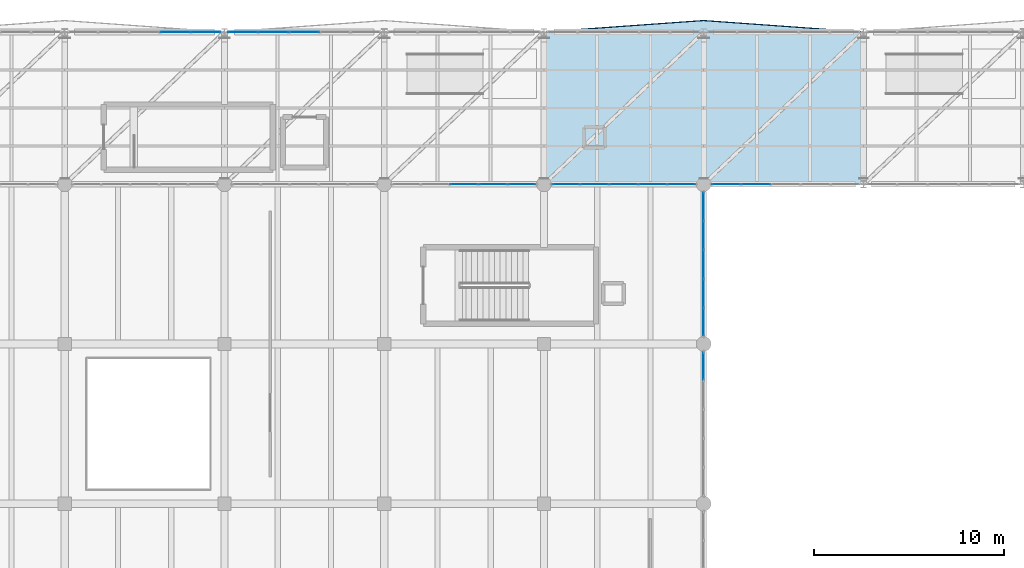
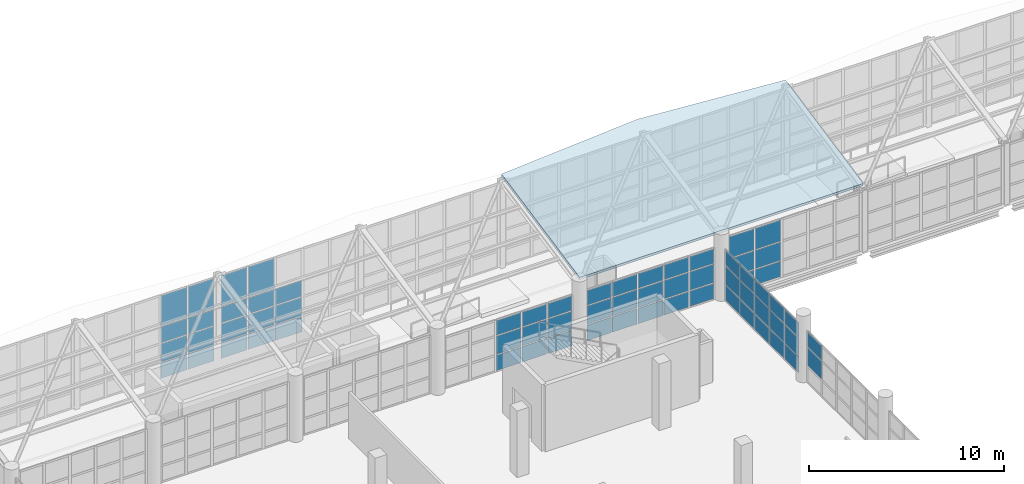
# One storey, part 135 of 177: 66 plates, 1 slab, 7 elements without a shape of their own.
"""IFC4 building model written with IfcOpenShell, lengths in metres."""

from ifc_helpers import new_model, si_unit, direction, frame, origin, origin_2d, place, context, subcontext, project, spatial, polyline, rectangle, outline, extrude, material, layer, layer_set, type_object, element, aggregate, save


model = new_model("IFC4")

# Units and contexts
model_context = context("Model", 3, precision=1e-05, world=origin(), true_north=direction((0.0, 1.0)))
body_context = subcontext(model_context, "Body", "Model", "MODEL_VIEW")
ifc_project = project(units=[si_unit("LENGTHUNIT", "METRE"), si_unit("AREAUNIT", "SQUARE_METRE"), si_unit("VOLUMEUNIT", "CUBIC_METRE"), si_unit("PLANEANGLEUNIT", "RADIAN"), si_unit("MASSUNIT", "GRAM", prefix="KILO"), si_unit("THERMODYNAMICTEMPERATUREUNIT", "KELVIN"), si_unit("POWERUNIT", "WATT")], contexts=[model_context])

# Site, building, storey
site_placement = place(None, origin())
site = spatial("IfcSite", under=ifc_project, at=site_placement, CompositionType="ELEMENT")
building_placement = place(site_placement, origin())
building = spatial("IfcBuilding", under=site, at=building_placement, Name="Mavoryth Pier Ferry Terminal", CompositionType="ELEMENT")
storey_placement = place(building_placement, frame((0.0, 0.0, 5.43994140625)))
storey = spatial("IfcBuildingStorey", under=building, at=storey_placement, Name="L01", CompositionType="ELEMENT", Elevation=5.43994140625)

# Curtain wall, plates
ifc_material_1 = material(Name="Anodised Aluminium and Solar-Control Low-E Glass", Category="aluminium")
ifc_layer_1 = layer(ifc_material_1, 0.159912109375, Name="Anodised Aluminium and Solar-Control Low-E Glass", Category="aluminium")
ifc_layer_set_1 = layer_set([ifc_layer_1], Name="Anodised Aluminium and Solar-Control Low-E Glass - CW-Arrivals-Mod1400")
curtain_wall_type_1 = type_object("IfcCurtainWallType", Name="CW-Arrivals-Mod1400", PredefinedType="USERDEFINED", material=ifc_layer_set_1)
curtain_wall_1_placement = place(storey_placement, origin())
curtain_wall_1 = element("IfcCurtainWall", 1, at=curtain_wall_1_placement, inside=storey, type_object=curtain_wall_type_1, Name="Curtain Wall CW-0122-058", ObjectType="UNITISED CURTAIN WALL", PredefinedType="USERDEFINED")
ifc_material_2 = material(Name="Solar-Control Low-E Laminated Double Glazing", Category="glass")
ifc_layer_2 = layer(ifc_material_2, 0.02392578125, Name="Solar-Control Low-E Laminated Double Glazing", Category="glass")
ifc_layer_set_2 = layer_set([ifc_layer_2], Name="Solar-Control Low-E Laminated Double Glazing - Panel-LowE-DGU-24")
plate_type = type_object("IfcPlateType", Name="Panel-LowE-DGU-24", PredefinedType="CURTAIN_PANEL", material=ifc_layer_set_2)
plate_1_placement = place(storey_placement, frame((82.8330078125, 106.0, 0.06005859375), z_axis=(0.0, 0.0, 1.0), x_axis=(-1.0, 0.0, 0.0)))
plate_1 = element("IfcPlate", 2, at=plate_1_placement, type_object=plate_type, Name="CW04 panel 1.1", PredefinedType="CURTAIN_PANEL", context=body_context, shape_type="SweptSolid", body=[
    extrude(rectangle(XDim=1.43408203125, YDim=0.02392578125, at=origin_2d()), origin(), (0.0, 0.0, 1.0), 0.9599609375),
])
plate_2_placement = place(storey_placement, frame((82.8330078125, 106.0, 1.080078125), z_axis=(0.0, 0.0, 1.0), x_axis=(-1.0, 0.0, 0.0)))
plate_2 = element("IfcPlate", 3, at=plate_2_placement, type_object=plate_type, Name="CW04 panel 1.2", PredefinedType="CURTAIN_PANEL", context=body_context, shape_type="SweptSolid", body=[
    extrude(rectangle(XDim=1.43408203125, YDim=0.02392578125, at=origin_2d()), origin(), (0.0, 0.0, 1.0), 1.139892578125),
])
plate_3_placement = place(storey_placement, frame((82.8330078125, 106.0, 2.2802734375), z_axis=(0.0, 0.0, 1.0), x_axis=(-1.0, 0.0, 0.0)))
plate_3 = element("IfcPlate", 4, at=plate_3_placement, type_object=plate_type, Name="CW04 panel 1.3", PredefinedType="CURTAIN_PANEL", context=body_context, shape_type="SweptSolid", body=[
    extrude(rectangle(XDim=1.43408203125, YDim=0.02392578125, at=origin_2d()), origin(), (0.0, 0.0, 1.0), 0.905029296875),
])
plate_4_placement = place(storey_placement, frame((81.323974609375, 106.0, 0.06005859375), z_axis=(0.0, 0.0, 1.0), x_axis=(-1.0, 0.0, 0.0)))
plate_4 = element("IfcPlate", 5, at=plate_4_placement, type_object=plate_type, Name="CW04 panel 2.1", PredefinedType="CURTAIN_PANEL", context=body_context, shape_type="SweptSolid", body=[
    extrude(rectangle(XDim=1.464111328125, YDim=0.02392578125, at=origin_2d()), origin(), (0.0, 0.0, 1.0), 0.9599609375),
])
plate_5_placement = place(storey_placement, frame((81.323974609375, 106.0, 1.080078125), z_axis=(0.0, 0.0, 1.0), x_axis=(-1.0, 0.0, 0.0)))
plate_5 = element("IfcPlate", 6, at=plate_5_placement, type_object=plate_type, Name="CW04 panel 2.2", PredefinedType="CURTAIN_PANEL", context=body_context, shape_type="SweptSolid", body=[
    extrude(rectangle(XDim=1.464111328125, YDim=0.02392578125, at=origin_2d()), origin(), (0.0, 0.0, 1.0), 1.139892578125),
])
plate_6_placement = place(storey_placement, frame((81.323974609375, 106.0, 2.2802734375), z_axis=(0.0, 0.0, 1.0), x_axis=(-1.0, 0.0, 0.0)))
plate_6 = element("IfcPlate", 7, at=plate_6_placement, type_object=plate_type, Name="CW04 panel 2.3", PredefinedType="CURTAIN_PANEL", context=body_context, shape_type="SweptSolid", body=[
    extrude(rectangle(XDim=1.464111328125, YDim=0.02392578125, at=origin_2d()), origin(), (0.0, 0.0, 1.0), 0.905029296875),
])
plate_7_placement = place(storey_placement, frame((79.800048828125, 106.0, 0.06005859375), z_axis=(0.0, 0.0, 1.0), x_axis=(-1.0, 0.0, 0.0)))
plate_7 = element("IfcPlate", 8, at=plate_7_placement, type_object=plate_type, Name="CW04 panel 3.1", PredefinedType="CURTAIN_PANEL", context=body_context, shape_type="SweptSolid", body=[
    extrude(rectangle(XDim=1.464111328125, YDim=0.02392578125, at=origin_2d()), origin(), (0.0, 0.0, 1.0), 0.9599609375),
])
plate_8_placement = place(storey_placement, frame((79.800048828125, 106.0, 1.080078125), z_axis=(0.0, 0.0, 1.0), x_axis=(-1.0, 0.0, 0.0)))
plate_8 = element("IfcPlate", 9, at=plate_8_placement, type_object=plate_type, Name="CW04 panel 3.2", PredefinedType="CURTAIN_PANEL", context=body_context, shape_type="SweptSolid", body=[
    extrude(rectangle(XDim=1.464111328125, YDim=0.02392578125, at=origin_2d()), origin(), (0.0, 0.0, 1.0), 1.139892578125),
])
plate_9_placement = place(storey_placement, frame((79.800048828125, 106.0, 2.2802734375), z_axis=(0.0, 0.0, 1.0), x_axis=(-1.0, 0.0, 0.0)))
plate_9 = element("IfcPlate", 10, at=plate_9_placement, type_object=plate_type, Name="CW04 panel 3.3", PredefinedType="CURTAIN_PANEL", context=body_context, shape_type="SweptSolid", body=[
    extrude(rectangle(XDim=1.464111328125, YDim=0.02392578125, at=origin_2d()), origin(), (0.0, 0.0, 1.0), 0.905029296875),
])
aggregate(curtain_wall_1, [plate_1, plate_2, plate_3, plate_4, plate_5, plate_6, plate_7, plate_8, plate_9])

curtain_wall_2_placement = place(storey_placement, origin())
curtain_wall_2 = element("IfcCurtainWall", 11, at=curtain_wall_2_placement, inside=storey, type_object=curtain_wall_type_1, Name="Curtain Wall CW-0122-061", ObjectType="UNITISED CURTAIN WALL", PredefinedType="USERDEFINED")
plate_10_placement = place(storey_placement, frame((91.23291015625, 106.0, 0.06005859375), z_axis=(0.0, 0.0, 1.0), x_axis=(-1.0, 0.0, 0.0)))
plate_10 = element("IfcPlate", 12, at=plate_10_placement, type_object=plate_type, Name="CW04 panel 1.1", PredefinedType="CURTAIN_PANEL", context=body_context, shape_type="SweptSolid", body=[
    extrude(rectangle(XDim=1.43408203125, YDim=0.02392578125, at=origin_2d()), origin(), (0.0, 0.0, 1.0), 0.9599609375),
])
plate_11_placement = place(storey_placement, frame((91.23291015625, 106.0, 1.080078125), z_axis=(0.0, 0.0, 1.0), x_axis=(-1.0, 0.0, 0.0)))
plate_11 = element("IfcPlate", 13, at=plate_11_placement, type_object=plate_type, Name="CW04 panel 1.2", PredefinedType="CURTAIN_PANEL", context=body_context, shape_type="SweptSolid", body=[
    extrude(rectangle(XDim=1.43408203125, YDim=0.02392578125, at=origin_2d()), origin(), (0.0, 0.0, 1.0), 1.139892578125),
])
plate_12_placement = place(storey_placement, frame((91.23291015625, 106.0, 2.2802734375), z_axis=(0.0, 0.0, 1.0), x_axis=(-1.0, 0.0, 0.0)))
plate_12 = element("IfcPlate", 14, at=plate_12_placement, type_object=plate_type, Name="CW04 panel 1.3", PredefinedType="CURTAIN_PANEL", context=body_context, shape_type="SweptSolid", body=[
    extrude(rectangle(XDim=1.43408203125, YDim=0.02392578125, at=origin_2d()), origin(), (0.0, 0.0, 1.0), 0.905029296875),
])
plate_13_placement = place(storey_placement, frame((89.72412109375, 106.0, 0.06005859375), z_axis=(0.0, 0.0, 1.0), x_axis=(-1.0, 0.0, 0.0)))
plate_13 = element("IfcPlate", 15, at=plate_13_placement, type_object=plate_type, Name="CW04 panel 2.1", PredefinedType="CURTAIN_PANEL", context=body_context, shape_type="SweptSolid", body=[
    extrude(rectangle(XDim=1.464111328125, YDim=0.02392578125, at=origin_2d()), origin(), (0.0, 0.0, 1.0), 0.9599609375),
])
plate_14_placement = place(storey_placement, frame((89.72412109375, 106.0, 1.080078125), z_axis=(0.0, 0.0, 1.0), x_axis=(-1.0, 0.0, 0.0)))
plate_14 = element("IfcPlate", 16, at=plate_14_placement, type_object=plate_type, Name="CW04 panel 2.2", PredefinedType="CURTAIN_PANEL", context=body_context, shape_type="SweptSolid", body=[
    extrude(rectangle(XDim=1.464111328125, YDim=0.02392578125, at=origin_2d()), origin(), (0.0, 0.0, 1.0), 1.139892578125),
])
plate_15_placement = place(storey_placement, frame((89.72412109375, 106.0, 2.2802734375), z_axis=(0.0, 0.0, 1.0), x_axis=(-1.0, 0.0, 0.0)))
plate_15 = element("IfcPlate", 17, at=plate_15_placement, type_object=plate_type, Name="CW04 panel 2.3", PredefinedType="CURTAIN_PANEL", context=body_context, shape_type="SweptSolid", body=[
    extrude(rectangle(XDim=1.464111328125, YDim=0.02392578125, at=origin_2d()), origin(), (0.0, 0.0, 1.0), 0.905029296875),
])
plate_16_placement = place(storey_placement, frame((88.199951171875, 106.0, 0.06005859375), z_axis=(0.0, 0.0, 1.0), x_axis=(-1.0, 0.0, 0.0)))
plate_16 = element("IfcPlate", 18, at=plate_16_placement, type_object=plate_type, Name="CW04 panel 3.1", PredefinedType="CURTAIN_PANEL", context=body_context, shape_type="SweptSolid", body=[
    extrude(rectangle(XDim=1.464111328125, YDim=0.02392578125, at=origin_2d()), origin(), (0.0, 0.0, 1.0), 0.9599609375),
])
plate_17_placement = place(storey_placement, frame((88.199951171875, 106.0, 1.080078125), z_axis=(0.0, 0.0, 1.0), x_axis=(-1.0, 0.0, 0.0)))
plate_17 = element("IfcPlate", 19, at=plate_17_placement, type_object=plate_type, Name="CW04 panel 3.2", PredefinedType="CURTAIN_PANEL", context=body_context, shape_type="SweptSolid", body=[
    extrude(rectangle(XDim=1.464111328125, YDim=0.02392578125, at=origin_2d()), origin(), (0.0, 0.0, 1.0), 1.139892578125),
])
plate_18_placement = place(storey_placement, frame((88.199951171875, 106.0, 2.2802734375), z_axis=(0.0, 0.0, 1.0), x_axis=(-1.0, 0.0, 0.0)))
plate_18 = element("IfcPlate", 20, at=plate_18_placement, type_object=plate_type, Name="CW04 panel 3.3", PredefinedType="CURTAIN_PANEL", context=body_context, shape_type="SweptSolid", body=[
    extrude(rectangle(XDim=1.464111328125, YDim=0.02392578125, at=origin_2d()), origin(), (0.0, 0.0, 1.0), 0.905029296875),
])
plate_19_placement = place(storey_placement, frame((86.676025390625, 106.0, 0.06005859375), z_axis=(0.0, 0.0, 1.0), x_axis=(-1.0, 0.0, 0.0)))
plate_19 = element("IfcPlate", 21, at=plate_19_placement, type_object=plate_type, Name="CW04 panel 4.1", PredefinedType="CURTAIN_PANEL", context=body_context, shape_type="SweptSolid", body=[
    extrude(rectangle(XDim=1.464111328125, YDim=0.02392578125, at=origin_2d()), origin(), (0.0, 0.0, 1.0), 0.9599609375),
])
plate_20_placement = place(storey_placement, frame((86.676025390625, 106.0, 1.080078125), z_axis=(0.0, 0.0, 1.0), x_axis=(-1.0, 0.0, 0.0)))
plate_20 = element("IfcPlate", 22, at=plate_20_placement, type_object=plate_type, Name="CW04 panel 4.2", PredefinedType="CURTAIN_PANEL", context=body_context, shape_type="SweptSolid", body=[
    extrude(rectangle(XDim=1.464111328125, YDim=0.02392578125, at=origin_2d()), origin(), (0.0, 0.0, 1.0), 1.139892578125),
])
plate_21_placement = place(storey_placement, frame((86.676025390625, 106.0, 2.2802734375), z_axis=(0.0, 0.0, 1.0), x_axis=(-1.0, 0.0, 0.0)))
plate_21 = element("IfcPlate", 23, at=plate_21_placement, type_object=plate_type, Name="CW04 panel 4.3", PredefinedType="CURTAIN_PANEL", context=body_context, shape_type="SweptSolid", body=[
    extrude(rectangle(XDim=1.464111328125, YDim=0.02392578125, at=origin_2d()), origin(), (0.0, 0.0, 1.0), 0.905029296875),
])
plate_22_placement = place(storey_placement, frame((85.1669921875, 106.0, 0.06005859375), z_axis=(0.0, 0.0, 1.0), x_axis=(-1.0, 0.0, 0.0)))
plate_22 = element("IfcPlate", 24, at=plate_22_placement, type_object=plate_type, Name="CW04 panel 5.1", PredefinedType="CURTAIN_PANEL", context=body_context, shape_type="SweptSolid", body=[
    extrude(rectangle(XDim=1.43408203125, YDim=0.02392578125, at=origin_2d()), origin(), (0.0, 0.0, 1.0), 0.9599609375),
])
plate_23_placement = place(storey_placement, frame((85.1669921875, 106.0, 1.080078125), z_axis=(0.0, 0.0, 1.0), x_axis=(-1.0, 0.0, 0.0)))
plate_23 = element("IfcPlate", 25, at=plate_23_placement, type_object=plate_type, Name="CW04 panel 5.2", PredefinedType="CURTAIN_PANEL", context=body_context, shape_type="SweptSolid", body=[
    extrude(rectangle(XDim=1.43408203125, YDim=0.02392578125, at=origin_2d()), origin(), (0.0, 0.0, 1.0), 1.139892578125),
])
plate_24_placement = place(storey_placement, frame((85.1669921875, 106.0, 2.2802734375), z_axis=(0.0, 0.0, 1.0), x_axis=(-1.0, 0.0, 0.0)))
plate_24 = element("IfcPlate", 26, at=plate_24_placement, type_object=plate_type, Name="CW04 panel 5.3", PredefinedType="CURTAIN_PANEL", context=body_context, shape_type="SweptSolid", body=[
    extrude(rectangle(XDim=1.43408203125, YDim=0.02392578125, at=origin_2d()), origin(), (0.0, 0.0, 1.0), 0.905029296875),
])
aggregate(curtain_wall_2, [plate_10, plate_11, plate_12, plate_13, plate_14, plate_15, plate_16, plate_17, plate_18, plate_19, plate_20, plate_21, plate_22, plate_23, plate_24])

curtain_wall_3_placement = place(storey_placement, origin())
curtain_wall_3 = element("IfcCurtainWall", 27, at=curtain_wall_3_placement, inside=storey, type_object=curtain_wall_type_1, Name="Curtain Wall CW-0122-068", ObjectType="UNITISED CURTAIN WALL", PredefinedType="USERDEFINED")
plate_25_placement = place(storey_placement, frame((92.39990234375, 96.43310546875, 1.080078125), z_axis=(0.0, 0.0, 1.0), x_axis=(0.0, 1.0, 0.0)))
plate_25 = element("IfcPlate", 28, at=plate_25_placement, type_object=plate_type, Name="CW04 panel 5.2", PredefinedType="CURTAIN_PANEL", context=body_context, shape_type="SweptSolid", body=[
    extrude(rectangle(XDim=1.43408203125, YDim=0.02392578125, at=origin_2d()), origin(), (0.0, 0.0, 1.0), 1.139892578125),
])
plate_26_placement = place(storey_placement, frame((92.39990234375, 96.43310546875, 2.2802734375), z_axis=(0.0, 0.0, 1.0), x_axis=(0.0, 1.0, 0.0)))
plate_26 = element("IfcPlate", 29, at=plate_26_placement, type_object=plate_type, Name="CW04 panel 5.3", PredefinedType="CURTAIN_PANEL", context=body_context, shape_type="SweptSolid", body=[
    extrude(rectangle(XDim=1.43408203125, YDim=0.02392578125, at=origin_2d()), origin(), (0.0, 0.0, 1.0), 0.905029296875),
])
aggregate(curtain_wall_3, [plate_25, plate_26])

curtain_wall_4_placement = place(storey_placement, origin())
curtain_wall_4 = element("IfcCurtainWall", 30, at=curtain_wall_4_placement, inside=storey, type_object=curtain_wall_type_1, Name="Curtain Wall CW-0122-070", ObjectType="UNITISED CURTAIN WALL", PredefinedType="USERDEFINED")
plate_27_placement = place(storey_placement, frame((92.39990234375, 98.76708984375, 0.06005859375), z_axis=(0.0, 0.0, 1.0), x_axis=(0.0, 1.0, 0.0)))
plate_27 = element("IfcPlate", 31, at=plate_27_placement, type_object=plate_type, Name="CW04 panel 1.1", PredefinedType="CURTAIN_PANEL", context=body_context, shape_type="SweptSolid", body=[
    extrude(rectangle(XDim=1.43408203125, YDim=0.02392578125, at=origin_2d()), origin(), (0.0, 0.0, 1.0), 0.9599609375),
])
plate_28_placement = place(storey_placement, frame((92.39990234375, 98.76708984375, 1.080078125), z_axis=(0.0, 0.0, 1.0), x_axis=(0.0, 1.0, 0.0)))
plate_28 = element("IfcPlate", 32, at=plate_28_placement, type_object=plate_type, Name="CW04 panel 1.2", PredefinedType="CURTAIN_PANEL", context=body_context, shape_type="SweptSolid", body=[
    extrude(rectangle(XDim=1.43408203125, YDim=0.02392578125, at=origin_2d()), origin(), (0.0, 0.0, 1.0), 1.139892578125),
])
plate_29_placement = place(storey_placement, frame((92.39990234375, 98.76708984375, 2.2802734375), z_axis=(0.0, 0.0, 1.0), x_axis=(0.0, 1.0, 0.0)))
plate_29 = element("IfcPlate", 33, at=plate_29_placement, type_object=plate_type, Name="CW04 panel 1.3", PredefinedType="CURTAIN_PANEL", context=body_context, shape_type="SweptSolid", body=[
    extrude(rectangle(XDim=1.43408203125, YDim=0.02392578125, at=origin_2d()), origin(), (0.0, 0.0, 1.0), 0.905029296875),
])
plate_30_placement = place(storey_placement, frame((92.39990234375, 100.27587890625, 0.06005859375), z_axis=(0.0, 0.0, 1.0), x_axis=(0.0, 1.0, 0.0)))
plate_30 = element("IfcPlate", 34, at=plate_30_placement, type_object=plate_type, Name="CW04 panel 2.1", PredefinedType="CURTAIN_PANEL", context=body_context, shape_type="SweptSolid", body=[
    extrude(rectangle(XDim=1.464111328125, YDim=0.02392578125, at=origin_2d()), origin(), (0.0, 0.0, 1.0), 0.9599609375),
])
plate_31_placement = place(storey_placement, frame((92.39990234375, 100.27587890625, 1.080078125), z_axis=(0.0, 0.0, 1.0), x_axis=(0.0, 1.0, 0.0)))
plate_31 = element("IfcPlate", 35, at=plate_31_placement, type_object=plate_type, Name="CW04 panel 2.2", PredefinedType="CURTAIN_PANEL", context=body_context, shape_type="SweptSolid", body=[
    extrude(rectangle(XDim=1.464111328125, YDim=0.02392578125, at=origin_2d()), origin(), (0.0, 0.0, 1.0), 1.139892578125),
])
plate_32_placement = place(storey_placement, frame((92.39990234375, 100.27587890625, 2.2802734375), z_axis=(0.0, 0.0, 1.0), x_axis=(0.0, 1.0, 0.0)))
plate_32 = element("IfcPlate", 36, at=plate_32_placement, type_object=plate_type, Name="CW04 panel 2.3", PredefinedType="CURTAIN_PANEL", context=body_context, shape_type="SweptSolid", body=[
    extrude(rectangle(XDim=1.464111328125, YDim=0.02392578125, at=origin_2d()), origin(), (0.0, 0.0, 1.0), 0.905029296875),
])
plate_33_placement = place(storey_placement, frame((92.39990234375, 101.800048828125, 0.06005859375), z_axis=(0.0, 0.0, 1.0), x_axis=(0.0, 1.0, 0.0)))
plate_33 = element("IfcPlate", 37, at=plate_33_placement, type_object=plate_type, Name="CW04 panel 3.1", PredefinedType="CURTAIN_PANEL", context=body_context, shape_type="SweptSolid", body=[
    extrude(rectangle(XDim=1.464111328125, YDim=0.02392578125, at=origin_2d()), origin(), (0.0, 0.0, 1.0), 0.9599609375),
])
plate_34_placement = place(storey_placement, frame((92.39990234375, 101.800048828125, 1.080078125), z_axis=(0.0, 0.0, 1.0), x_axis=(0.0, 1.0, 0.0)))
plate_34 = element("IfcPlate", 38, at=plate_34_placement, type_object=plate_type, Name="CW04 panel 3.2", PredefinedType="CURTAIN_PANEL", context=body_context, shape_type="SweptSolid", body=[
    extrude(rectangle(XDim=1.464111328125, YDim=0.02392578125, at=origin_2d()), origin(), (0.0, 0.0, 1.0), 1.139892578125),
])
plate_35_placement = place(storey_placement, frame((92.39990234375, 101.800048828125, 2.2802734375), z_axis=(0.0, 0.0, 1.0), x_axis=(0.0, 1.0, 0.0)))
plate_35 = element("IfcPlate", 39, at=plate_35_placement, type_object=plate_type, Name="CW04 panel 3.3", PredefinedType="CURTAIN_PANEL", context=body_context, shape_type="SweptSolid", body=[
    extrude(rectangle(XDim=1.464111328125, YDim=0.02392578125, at=origin_2d()), origin(), (0.0, 0.0, 1.0), 0.905029296875),
])
plate_36_placement = place(storey_placement, frame((92.39990234375, 103.323974609375, 0.06005859375), z_axis=(0.0, 0.0, 1.0), x_axis=(0.0, 1.0, 0.0)))
plate_36 = element("IfcPlate", 40, at=plate_36_placement, type_object=plate_type, Name="CW04 panel 4.1", PredefinedType="CURTAIN_PANEL", context=body_context, shape_type="SweptSolid", body=[
    extrude(rectangle(XDim=1.464111328125, YDim=0.02392578125, at=origin_2d()), origin(), (0.0, 0.0, 1.0), 0.9599609375),
])
plate_37_placement = place(storey_placement, frame((92.39990234375, 103.323974609375, 1.080078125), z_axis=(0.0, 0.0, 1.0), x_axis=(0.0, 1.0, 0.0)))
plate_37 = element("IfcPlate", 41, at=plate_37_placement, type_object=plate_type, Name="CW04 panel 4.2", PredefinedType="CURTAIN_PANEL", context=body_context, shape_type="SweptSolid", body=[
    extrude(rectangle(XDim=1.464111328125, YDim=0.02392578125, at=origin_2d()), origin(), (0.0, 0.0, 1.0), 1.139892578125),
])
plate_38_placement = place(storey_placement, frame((92.39990234375, 103.323974609375, 2.2802734375), z_axis=(0.0, 0.0, 1.0), x_axis=(0.0, 1.0, 0.0)))
plate_38 = element("IfcPlate", 42, at=plate_38_placement, type_object=plate_type, Name="CW04 panel 4.3", PredefinedType="CURTAIN_PANEL", context=body_context, shape_type="SweptSolid", body=[
    extrude(rectangle(XDim=1.464111328125, YDim=0.02392578125, at=origin_2d()), origin(), (0.0, 0.0, 1.0), 0.905029296875),
])
plate_39_placement = place(storey_placement, frame((92.39990234375, 104.8330078125, 0.06005859375), z_axis=(0.0, 0.0, 1.0), x_axis=(0.0, 1.0, 0.0)))
plate_39 = element("IfcPlate", 43, at=plate_39_placement, type_object=plate_type, Name="CW04 panel 5.1", PredefinedType="CURTAIN_PANEL", context=body_context, shape_type="SweptSolid", body=[
    extrude(rectangle(XDim=1.43408203125, YDim=0.02392578125, at=origin_2d()), origin(), (0.0, 0.0, 1.0), 0.9599609375),
])
plate_40_placement = place(storey_placement, frame((92.39990234375, 104.8330078125, 1.080078125), z_axis=(0.0, 0.0, 1.0), x_axis=(0.0, 1.0, 0.0)))
plate_40 = element("IfcPlate", 44, at=plate_40_placement, type_object=plate_type, Name="CW04 panel 5.2", PredefinedType="CURTAIN_PANEL", context=body_context, shape_type="SweptSolid", body=[
    extrude(rectangle(XDim=1.43408203125, YDim=0.02392578125, at=origin_2d()), origin(), (0.0, 0.0, 1.0), 1.139892578125),
])
plate_41_placement = place(storey_placement, frame((92.39990234375, 104.8330078125, 2.2802734375), z_axis=(0.0, 0.0, 1.0), x_axis=(0.0, 1.0, 0.0)))
plate_41 = element("IfcPlate", 45, at=plate_41_placement, type_object=plate_type, Name="CW04 panel 5.3", PredefinedType="CURTAIN_PANEL", context=body_context, shape_type="SweptSolid", body=[
    extrude(rectangle(XDim=1.43408203125, YDim=0.02392578125, at=origin_2d()), origin(), (0.0, 0.0, 1.0), 0.905029296875),
])
aggregate(curtain_wall_4, [plate_27, plate_28, plate_29, plate_30, plate_31, plate_32, plate_33, plate_34, plate_35, plate_36, plate_37, plate_38, plate_39, plate_40, plate_41])

ifc_layer_3 = layer(ifc_material_1, 0.139892578125, Name="Anodised Aluminium and Solar-Control Low-E Glass", Category="aluminium")
ifc_layer_set_3 = layer_set([ifc_layer_3], Name="Anodised Aluminium and Solar-Control Low-E Glass - CW-Gallery-Mod1600")
curtain_wall_type_2 = type_object("IfcCurtainWallType", Name="CW-Gallery-Mod1600", PredefinedType="USERDEFINED", material=ifc_layer_set_3)
curtain_wall_5_placement = place(storey_placement, origin())
curtain_wall_5 = element("IfcCurtainWall", 46, at=curtain_wall_5_placement, inside=storey, type_object=curtain_wall_type_2, Name="Curtain Wall CW-0122-078", ObjectType="UNITISED CURTAIN WALL", PredefinedType="USERDEFINED")
plate_42_placement = place(storey_placement, frame((66.22509765625, 114.0, 0.06005859375), z_axis=(0.0, 0.0, 1.0), x_axis=(-1.0, 0.0, 0.0)))
plate_42 = element("IfcPlate", 47, at=plate_42_placement, type_object=plate_type, Name="CW05 panel 1.1", PredefinedType="CURTAIN_PANEL", context=body_context, shape_type="SweptSolid", body=[
    extrude(rectangle(XDim=1.530029296875, YDim=0.02392578125, at=origin_2d()), origin(), (0.0, 0.0, 1.0), 0.9599609375),
])
plate_43_placement = place(storey_placement, frame((66.22509765625, 114.0, 1.080078125), z_axis=(0.0, 0.0, 1.0), x_axis=(-1.0, 0.0, 0.0)))
plate_43 = element("IfcPlate", 48, at=plate_43_placement, type_object=plate_type, Name="CW05 panel 1.2", PredefinedType="CURTAIN_PANEL", context=body_context, shape_type="SweptSolid", body=[
    extrude(rectangle(XDim=1.530029296875, YDim=0.02392578125, at=origin_2d()), origin(), (0.0, 0.0, 1.0), 1.139892578125),
])
plate_44_placement = place(storey_placement, frame((66.22509765625, 114.0, 2.2802734375), z_axis=(0.0, 0.0, 1.0), x_axis=(-1.0, 0.0, 0.0)))
plate_44 = element("IfcPlate", 49, at=plate_44_placement, type_object=plate_type, Name="CW05 panel 1.3", PredefinedType="CURTAIN_PANEL", context=body_context, shape_type="SweptSolid", body=[
    extrude(rectangle(XDim=1.530029296875, YDim=0.02392578125, at=origin_2d()), origin(), (0.0, 0.0, 1.0), 0.989990234375),
])
plate_45_placement = place(storey_placement, frame((66.22509765625, 114.0, 3.330078125), z_axis=(0.0, 0.0, 1.0), x_axis=(-1.0, 0.0, 0.0)))
plate_45 = element("IfcPlate", 50, at=plate_45_placement, type_object=plate_type, Name="CW05 panel 1.4", PredefinedType="CURTAIN_PANEL", context=body_context, shape_type="SweptSolid", body=[
    extrude(rectangle(XDim=1.530029296875, YDim=0.02392578125, at=origin_2d()), origin(), (0.0, 0.0, 1.0), 1.897705078125),
])
plate_46_placement = place(storey_placement, frame((64.6201171875, 114.0, 0.06005859375), z_axis=(0.0, 0.0, 1.0), x_axis=(-1.0, 0.0, 0.0)))
plate_46 = element("IfcPlate", 51, at=plate_46_placement, type_object=plate_type, Name="CW05 panel 2.1", PredefinedType="CURTAIN_PANEL", context=body_context, shape_type="SweptSolid", body=[
    extrude(rectangle(XDim=1.56005859375, YDim=0.02392578125, at=origin_2d()), origin(), (0.0, 0.0, 1.0), 0.9599609375),
])
plate_47_placement = place(storey_placement, frame((64.6201171875, 114.0, 1.080078125), z_axis=(0.0, 0.0, 1.0), x_axis=(-1.0, 0.0, 0.0)))
plate_47 = element("IfcPlate", 52, at=plate_47_placement, type_object=plate_type, Name="CW05 panel 2.2", PredefinedType="CURTAIN_PANEL", context=body_context, shape_type="SweptSolid", body=[
    extrude(rectangle(XDim=1.56005859375, YDim=0.02392578125, at=origin_2d()), origin(), (0.0, 0.0, 1.0), 1.139892578125),
])
plate_48_placement = place(storey_placement, frame((64.6201171875, 114.0, 2.2802734375), z_axis=(0.0, 0.0, 1.0), x_axis=(-1.0, 0.0, 0.0)))
plate_48 = element("IfcPlate", 53, at=plate_48_placement, type_object=plate_type, Name="CW05 panel 2.3", PredefinedType="CURTAIN_PANEL", context=body_context, shape_type="SweptSolid", body=[
    extrude(rectangle(XDim=1.56005859375, YDim=0.02392578125, at=origin_2d()), origin(), (0.0, 0.0, 1.0), 0.989990234375),
])
plate_49_placement = place(storey_placement, frame((64.6201171875, 114.0, 3.330078125), z_axis=(0.0, 0.0, 1.0), x_axis=(-1.0, 0.0, 0.0)))
plate_49 = element("IfcPlate", 54, at=plate_49_placement, type_object=plate_type, Name="CW05 panel 2.4", PredefinedType="CURTAIN_PANEL", context=body_context, shape_type="SweptSolid", body=[
    extrude(rectangle(XDim=1.56005859375, YDim=0.02392578125, at=origin_2d()), origin(), (0.0, 0.0, 1.0), 1.897705078125),
])
aggregate(curtain_wall_5, [plate_42, plate_43, plate_44, plate_45, plate_46, plate_47, plate_48, plate_49])

curtain_wall_6_placement = place(storey_placement, origin())
curtain_wall_6 = element("IfcCurtainWall", 55, at=curtain_wall_6_placement, inside=storey, type_object=curtain_wall_type_2, Name="Curtain Wall CW-0122-079", ObjectType="UNITISED CURTAIN WALL", PredefinedType="USERDEFINED")
plate_50_placement = place(storey_placement, frame((71.39990234375, 114.0, 0.06005859375), z_axis=(0.0, 0.0, 1.0), x_axis=(-1.0, 0.0, 0.0)))
plate_50 = element("IfcPlate", 56, at=plate_50_placement, type_object=plate_type, Name="CW05 panel 3.1", PredefinedType="CURTAIN_PANEL", context=body_context, shape_type="SweptSolid", body=[
    extrude(rectangle(XDim=1.56005859375, YDim=0.02392578125, at=origin_2d()), origin(), (0.0, 0.0, 1.0), 0.9599609375),
])
plate_51_placement = place(storey_placement, frame((71.39990234375, 114.0, 1.080078125), z_axis=(0.0, 0.0, 1.0), x_axis=(-1.0, 0.0, 0.0)))
plate_51 = element("IfcPlate", 57, at=plate_51_placement, type_object=plate_type, Name="CW05 panel 3.2", PredefinedType="CURTAIN_PANEL", context=body_context, shape_type="SweptSolid", body=[
    extrude(rectangle(XDim=1.56005859375, YDim=0.02392578125, at=origin_2d()), origin(), (0.0, 0.0, 1.0), 1.139892578125),
])
plate_52_placement = place(storey_placement, frame((71.39990234375, 114.0, 2.2802734375), z_axis=(0.0, 0.0, 1.0), x_axis=(-1.0, 0.0, 0.0)))
plate_52 = element("IfcPlate", 58, at=plate_52_placement, type_object=plate_type, Name="CW05 panel 3.3", PredefinedType="CURTAIN_PANEL", context=body_context, shape_type="SweptSolid", body=[
    extrude(rectangle(XDim=1.56005859375, YDim=0.02392578125, at=origin_2d()), origin(), (0.0, 0.0, 1.0), 0.989990234375),
])
plate_53_placement = place(storey_placement, frame((69.780029296875, 114.0, 0.06005859375), z_axis=(0.0, 0.0, 1.0), x_axis=(-1.0, 0.0, 0.0)))
plate_53 = element("IfcPlate", 59, at=plate_53_placement, type_object=plate_type, Name="CW05 panel 4.1", PredefinedType="CURTAIN_PANEL", context=body_context, shape_type="SweptSolid", body=[
    extrude(rectangle(XDim=1.56005859375, YDim=0.02392578125, at=origin_2d()), origin(), (0.0, 0.0, 1.0), 0.9599609375),
])
plate_54_placement = place(storey_placement, frame((69.780029296875, 114.0, 1.080078125), z_axis=(0.0, 0.0, 1.0), x_axis=(-1.0, 0.0, 0.0)))
plate_54 = element("IfcPlate", 60, at=plate_54_placement, type_object=plate_type, Name="CW05 panel 4.2", PredefinedType="CURTAIN_PANEL", context=body_context, shape_type="SweptSolid", body=[
    extrude(rectangle(XDim=1.56005859375, YDim=0.02392578125, at=origin_2d()), origin(), (0.0, 0.0, 1.0), 1.139892578125),
])
plate_55_placement = place(storey_placement, frame((69.780029296875, 114.0, 2.2802734375), z_axis=(0.0, 0.0, 1.0), x_axis=(-1.0, 0.0, 0.0)))
plate_55 = element("IfcPlate", 61, at=plate_55_placement, type_object=plate_type, Name="CW05 panel 4.3", PredefinedType="CURTAIN_PANEL", context=body_context, shape_type="SweptSolid", body=[
    extrude(rectangle(XDim=1.56005859375, YDim=0.02392578125, at=origin_2d()), origin(), (0.0, 0.0, 1.0), 0.989990234375),
])
plate_56_placement = place(storey_placement, frame((69.780029296875, 114.0, 3.330078125), z_axis=(0.0, 0.0, 1.0), x_axis=(-1.0, 0.0, 0.0)))
plate_56 = element("IfcPlate", 62, at=plate_56_placement, type_object=plate_type, Name="CW05 panel 4.4", PredefinedType="CURTAIN_PANEL", context=body_context, shape_type="SweptSolid", body=[
    extrude(rectangle(XDim=1.56005859375, YDim=0.02392578125, at=origin_2d()), origin(), (0.0, 0.0, 1.0), 1.897705078125),
])
plate_57_placement = place(storey_placement, frame((68.175048828125, 114.0, 0.06005859375), z_axis=(0.0, 0.0, 1.0), x_axis=(-1.0, 0.0, 0.0)))
plate_57 = element("IfcPlate", 63, at=plate_57_placement, type_object=plate_type, Name="CW05 panel 5.1", PredefinedType="CURTAIN_PANEL", context=body_context, shape_type="SweptSolid", body=[
    extrude(rectangle(XDim=1.530029296875, YDim=0.02392578125, at=origin_2d()), origin(), (0.0, 0.0, 1.0), 0.9599609375),
])
plate_58_placement = place(storey_placement, frame((68.175048828125, 114.0, 1.080078125), z_axis=(0.0, 0.0, 1.0), x_axis=(-1.0, 0.0, 0.0)))
plate_58 = element("IfcPlate", 64, at=plate_58_placement, type_object=plate_type, Name="CW05 panel 5.2", PredefinedType="CURTAIN_PANEL", context=body_context, shape_type="SweptSolid", body=[
    extrude(rectangle(XDim=1.530029296875, YDim=0.02392578125, at=origin_2d()), origin(), (0.0, 0.0, 1.0), 1.139892578125),
])
plate_59_placement = place(storey_placement, frame((68.175048828125, 114.0, 2.2802734375), z_axis=(0.0, 0.0, 1.0), x_axis=(-1.0, 0.0, 0.0)))
plate_59 = element("IfcPlate", 65, at=plate_59_placement, type_object=plate_type, Name="CW05 panel 5.3", PredefinedType="CURTAIN_PANEL", context=body_context, shape_type="SweptSolid", body=[
    extrude(rectangle(XDim=1.530029296875, YDim=0.02392578125, at=origin_2d()), origin(), (0.0, 0.0, 1.0), 0.989990234375),
])
plate_60_placement = place(storey_placement, frame((68.175048828125, 114.0, 3.330078125), z_axis=(0.0, 0.0, 1.0), x_axis=(-1.0, 0.0, 0.0)))
plate_60 = element("IfcPlate", 66, at=plate_60_placement, type_object=plate_type, Name="CW05 panel 5.4", PredefinedType="CURTAIN_PANEL", context=body_context, shape_type="SweptSolid", body=[
    extrude(rectangle(XDim=1.530029296875, YDim=0.02392578125, at=origin_2d()), origin(), (0.0, 0.0, 1.0), 1.897705078125),
])
aggregate(curtain_wall_6, [plate_50, plate_51, plate_52, plate_53, plate_54, plate_55, plate_56, plate_57, plate_58, plate_59, plate_60])

curtain_wall_7_placement = place(storey_placement, origin())
curtain_wall_7 = element("IfcCurtainWall", 67, at=curtain_wall_7_placement, inside=storey, type_object=curtain_wall_type_2, Name="Curtain Wall CW-0122-083", ObjectType="UNITISED CURTAIN WALL", PredefinedType="USERDEFINED")
plate_61_placement = place(storey_placement, frame((93.591064453125, 106.0, 0.06005859375), z_axis=(0.0, 0.0, 1.0), x_axis=(1.0, 0.0, 0.0)))
plate_61 = element("IfcPlate", 68, at=plate_61_placement, type_object=plate_type, Name="CW05 panel 1.1", PredefinedType="CURTAIN_PANEL", context=body_context, shape_type="SweptSolid", body=[
    extrude(rectangle(XDim=1.48193359375, YDim=0.02392578125, at=origin_2d()), origin(), (0.0, 0.0, 1.0), 0.9599609375),
])
plate_62_placement = place(storey_placement, frame((93.591064453125, 106.0, 1.080078125), z_axis=(0.0, 0.0, 1.0), x_axis=(1.0, 0.0, 0.0)))
plate_62 = element("IfcPlate", 69, at=plate_62_placement, type_object=plate_type, Name="CW05 panel 1.2", PredefinedType="CURTAIN_PANEL", context=body_context, shape_type="SweptSolid", body=[
    extrude(rectangle(XDim=1.48193359375, YDim=0.02392578125, at=origin_2d()), origin(), (0.0, 0.0, 1.0), 1.139892578125),
])
plate_63_placement = place(storey_placement, frame((93.591064453125, 106.0, 2.27978515625), z_axis=(0.0, 0.0, 1.0), x_axis=(1.0, 0.0, 0.0)))
plate_63 = element("IfcPlate", 70, at=plate_63_placement, type_object=plate_type, Name="CW05 panel 1.3", PredefinedType="CURTAIN_PANEL", context=body_context, shape_type="SweptSolid", body=[
    extrude(rectangle(XDim=1.48193359375, YDim=0.02392578125, at=origin_2d()), origin(), (0.0, 0.0, 1.0), 1.320068359375),
])
plate_64_placement = place(storey_placement, frame((95.14794921875, 106.0, 0.06005859375), z_axis=(0.0, 0.0, 1.0), x_axis=(1.0, 0.0, 0.0)))
plate_64 = element("IfcPlate", 71, at=plate_64_placement, type_object=plate_type, Name="CW05 panel 2.1", PredefinedType="CURTAIN_PANEL", context=body_context, shape_type="SweptSolid", body=[
    extrude(rectangle(XDim=1.511962890625, YDim=0.02392578125, at=origin_2d()), origin(), (0.0, 0.0, 1.0), 0.9599609375),
])
plate_65_placement = place(storey_placement, frame((95.14794921875, 106.0, 1.080078125), z_axis=(0.0, 0.0, 1.0), x_axis=(1.0, 0.0, 0.0)))
plate_65 = element("IfcPlate", 72, at=plate_65_placement, type_object=plate_type, Name="CW05 panel 2.2", PredefinedType="CURTAIN_PANEL", context=body_context, shape_type="SweptSolid", body=[
    extrude(rectangle(XDim=1.511962890625, YDim=0.02392578125, at=origin_2d()), origin(), (0.0, 0.0, 1.0), 1.139892578125),
])
plate_66_placement = place(storey_placement, frame((95.14794921875, 106.0, 2.27978515625), z_axis=(0.0, 0.0, 1.0), x_axis=(1.0, 0.0, 0.0)))
plate_66 = element("IfcPlate", 73, at=plate_66_placement, type_object=plate_type, Name="CW05 panel 2.3", PredefinedType="CURTAIN_PANEL", context=body_context, shape_type="SweptSolid", body=[
    extrude(rectangle(XDim=1.511962890625, YDim=0.02392578125, at=origin_2d()), origin(), (0.0, 0.0, 1.0), 1.320068359375),
])
aggregate(curtain_wall_7, [plate_61, plate_62, plate_63, plate_64, plate_65, plate_66])

# Slab
ifc_material_3 = material(Name="Concrete C35/45", Category="concrete")
ifc_layer_4 = layer(ifc_material_3, 0.179931640625, Name="Concrete C35/45", Category="concrete")
ifc_layer_set_4 = layer_set([ifc_layer_4], Name="Concrete C35/45 - Slab-Roof-GalleryV3-180")
slab_type = type_object("IfcSlabType", Name="Slab-Roof-GalleryV3-180", PredefinedType="ROOF", material=ifc_layer_set_4)
slab_placement = place(storey_placement, frame((84.0, 106.0, 4.16015625), z_axis=(0.0, -0.19934668232, 0.979929028169), x_axis=(1.0, 0.0, 0.0)))
element("IfcSlab", 74, at=slab_placement, inside=storey, type_object=slab_type, Name="Boarding Gallery Roof Bay 3", PredefinedType="ROOF", context=body_context, shape_type="SweptSolid", body=[
    extrude(outline(polyline([(0.0, 0.0), (16.800048828125, 0.0), (16.800048828125, 8.163857270357187), (8.39990234375, 8.776244695259313), (0.0, 8.163857270357187), (0.0, 0.0)])), origin(), (0.0, 0.0, -1.0), 0.179931640625),
])

save(model, "model.ifc")
